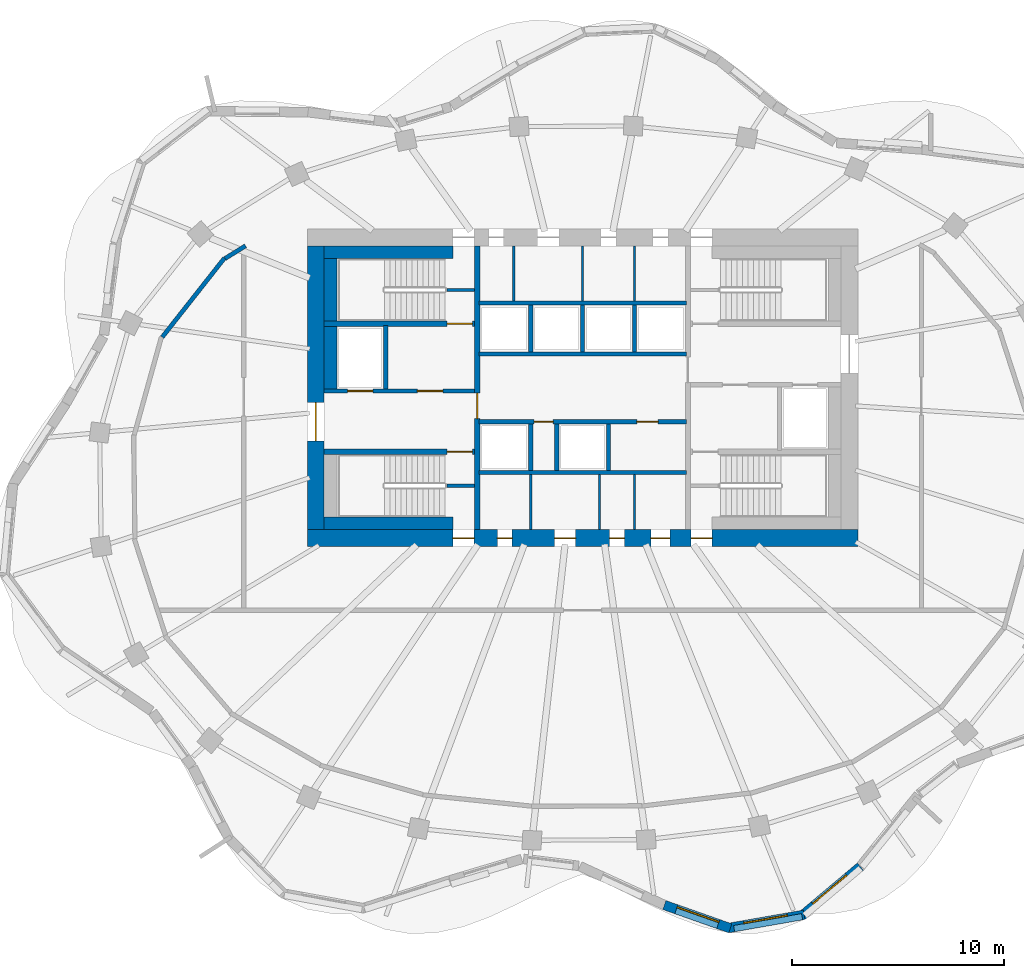
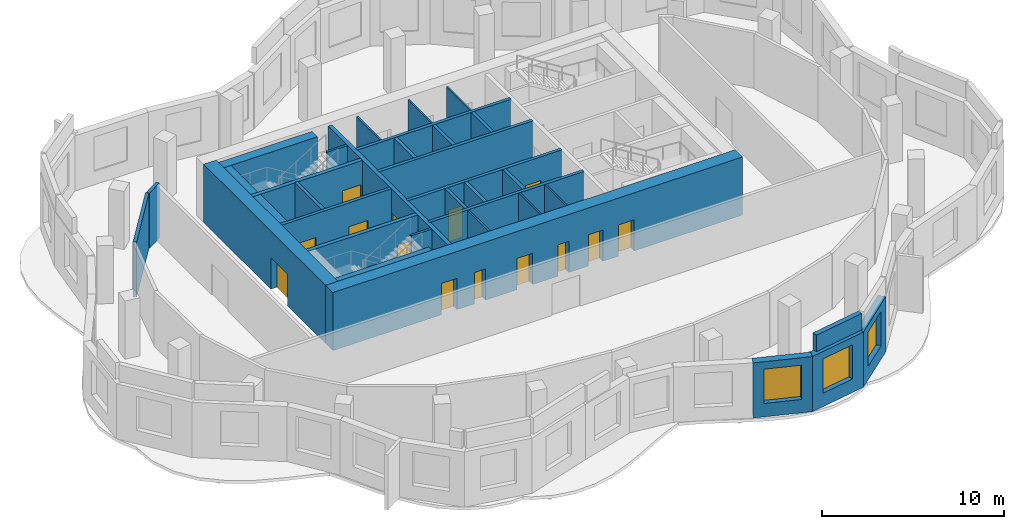
# One storey, part 4 of 8: 35 walls, 14 doors, 3 windows, 17 openings.
"""IFC4 building model written with IfcOpenShell, lengths in metres."""

from ifc_helpers import new_model, si_unit, direction, frame, frame_2d, origin, place, context, subcontext, project, spatial, rectangle, extrude, material, layer, layer_set, type_object, element, fill, save


model = new_model("IFC4")

# Units and contexts
model_context = context("Model", 3, precision=1e-05, world=origin(), true_north=direction((0.0, 1.0)))
body_context = subcontext(model_context, "Body", "Model", "MODEL_VIEW")
ifc_project = project(units=[si_unit("LENGTHUNIT", "METRE"), si_unit("AREAUNIT", "SQUARE_METRE"), si_unit("VOLUMEUNIT", "CUBIC_METRE"), si_unit("PLANEANGLEUNIT", "RADIAN"), si_unit("MASSUNIT", "GRAM", prefix="KILO")], contexts=[model_context])

# Site, building, storey
site_placement = place(None, origin())
site = spatial("IfcSite", under=ifc_project, at=site_placement, CompositionType="ELEMENT")
building_placement = place(site_placement, origin())
building = spatial("IfcBuilding", under=site, at=building_placement, Name="Rubra Terraces Tower", CompositionType="ELEMENT")
storey_placement = place(building_placement, frame((0.0, 0.0, 280.5)))
storey = spatial("IfcBuildingStorey", under=building, at=storey_placement, Name="L69", CompositionType="ELEMENT", Elevation=280.5)

# Wall, opening, window
ifc_material_1 = material(Name="Brick masonry red-brown", Category="masonry")
ifc_layer_1 = layer(ifc_material_1, 0.449951171875)
ifc_layer_set_1 = layer_set([ifc_layer_1], Name="Brick masonry red-brown")
wall_type_1 = type_object("IfcWallType", Name="Brick facade wall 450", PredefinedType="SOLIDWALL", material=ifc_layer_set_1)
wall_1_placement = place(storey_placement, frame((3.8603515625, -19.922607421875, 0.0), z_axis=(0.0, 0.0, 1.0), x_axis=(0.943061302397, -0.33261897108, 0.0)))
wall_1 = element("IfcWall", 1, at=wall_1_placement, inside=storey, type_object=wall_type_1, Name="Facade wall L69 bay 32", PredefinedType="SOLIDWALL", context=body_context, shape_type="SweptSolid", body=[
    extrude(rectangle(XDim=3.301513671875, YDim=0.449951171875, at=frame_2d((1.65087890625, 0.0))), origin(), (0.0, 0.0, 1.0), 3.699951171875),
])
opening_1_placement = place(wall_1_placement, frame((0.600830078125, 0.0, 0.89990234375)))
opening_1 = element("IfcOpeningElement", 2, at=opening_1_placement, cuts=wall_1, Name="Opening W1B", PredefinedType="OPENING", context=body_context, shape_type="SweptSolid", body=[
    extrude(rectangle(XDim=2.10009765625, YDim=2.300048828125, at=frame_2d((1.050048828125, 1.14990234375))), frame((0.0, 0.23486328125, 0.0), z_axis=(0.0, -1.0, 0.0), x_axis=(1.0, 0.0, 0.0)), (0.0, 0.0, 1.0), 0.469970703125),
])
ifc_material_2 = material(Name="Clear glass in aluminium frame", Category="aluminium")
window_type = type_object("IfcWindowType", Name="Fixed deep-set window tall storey 2100 x 2300", PartitioningType="SINGLE_PANEL", PredefinedType="WINDOW", material=ifc_material_2)
window_1_placement = place(opening_1_placement, origin())
window_1 = element("IfcWindow", 3, at=window_1_placement, inside=storey, type_object=window_type, Name="Window L69 bay 32", OverallHeight=2.300048828125, OverallWidth=2.10009765625, PartitioningType="SINGLE_PANEL", PredefinedType="WINDOW", context=body_context, shape_type="SweptSolid", body=[
    extrude(rectangle(XDim=2.10009765625, YDim=2.300048828125, at=frame_2d((1.050048828125, 1.14990234375))), frame((0.0, 0.135009765625, 0.0), z_axis=(0.0, -1.0, 0.0), x_axis=(1.0, 0.0, 0.0)), (0.0, 0.0, 1.0), 0.06005859375),
])
fill(opening_1, window_1)

wall_2_placement = place(storey_placement, frame((6.860107421875, -21.011474609375, 0.0), z_axis=(0.0, 0.0, 1.0), x_axis=(0.985017416972, 0.172454887614, 0.0)))
wall_2 = element("IfcWall", 4, at=wall_2_placement, inside=storey, type_object=wall_type_1, Name="Facade wall L69 bay 33", PredefinedType="SOLIDWALL", context=body_context, shape_type="SweptSolid", body=[
    extrude(rectangle(XDim=3.65380859375, YDim=0.449951171875, at=frame_2d((1.826904296875, 0.0))), origin(), (0.0, 0.0, 1.0), 3.699951171875),
])
opening_2_placement = place(wall_2_placement, frame((0.77685546875, 0.0, 0.89990234375)))
opening_2 = element("IfcOpeningElement", 5, at=opening_2_placement, cuts=wall_2, Name="Opening W1B", PredefinedType="OPENING", context=body_context, shape_type="SweptSolid", body=[
    extrude(rectangle(XDim=2.10009765625, YDim=2.300048828125, at=frame_2d((1.050048828125, 1.14990234375))), frame((0.0, 0.23486328125, 0.0), z_axis=(0.0, -1.0, 0.0), x_axis=(1.0, 0.0, 0.0)), (0.0, 0.0, 1.0), 0.469970703125),
])
window_2_placement = place(opening_2_placement, origin())
window_2 = element("IfcWindow", 6, at=window_2_placement, inside=storey, type_object=window_type, Name="Window L69 bay 33", OverallHeight=2.300048828125, OverallWidth=2.10009765625, PartitioningType="SINGLE_PANEL", PredefinedType="WINDOW", context=body_context, shape_type="SweptSolid", body=[
    extrude(rectangle(XDim=2.10009765625, YDim=2.300048828125, at=frame_2d((1.050048828125, 1.14990234375))), frame((0.0, 0.135009765625, 0.0), z_axis=(0.0, -1.0, 0.0), x_axis=(1.0, 0.0, 0.0)), (0.0, 0.0, 1.0), 0.06005859375),
])
fill(opening_2, window_2)

wall_3_placement = place(storey_placement, frame((10.353271484375, -20.430908203125, 0.0), z_axis=(0.0, 0.0, 1.0), x_axis=(0.765535539659, 0.643393610101, 0.0)))
wall_3 = element("IfcWall", 7, at=wall_3_placement, inside=storey, type_object=wall_type_1, Name="Facade wall L69 bay 34", PredefinedType="SOLIDWALL", context=body_context, shape_type="SweptSolid", body=[
    extrude(rectangle(XDim=3.60791015625, YDim=0.449951171875, at=frame_2d((1.803955078125, 0.0))), origin(), (0.0, 0.0, 1.0), 3.699951171875),
])
opening_3_placement = place(wall_3_placement, frame((0.75390625, 0.0, 0.89990234375)))
opening_3 = element("IfcOpeningElement", 8, at=opening_3_placement, cuts=wall_3, Name="Opening W1B", PredefinedType="OPENING", context=body_context, shape_type="SweptSolid", body=[
    extrude(rectangle(XDim=2.10009765625, YDim=2.300048828125, at=frame_2d((1.050048828125, 1.14990234375))), frame((0.0, 0.23486328125, 0.0), z_axis=(0.0, -1.0, 0.0), x_axis=(1.0, 0.0, 0.0)), (0.0, 0.0, 1.0), 0.469970703125),
])
window_3_placement = place(opening_3_placement, origin())
window_3 = element("IfcWindow", 9, at=window_3_placement, inside=storey, type_object=window_type, Name="Window L69 bay 34", OverallHeight=2.300048828125, OverallWidth=2.10009765625, PartitioningType="SINGLE_PANEL", PredefinedType="WINDOW", context=body_context, shape_type="SweptSolid", body=[
    extrude(rectangle(XDim=2.10009765625, YDim=2.300048828125, at=frame_2d((1.050048828125, 1.14990234375))), frame((0.0, 0.135009765625, 0.0), z_axis=(0.0, -1.0, 0.0), x_axis=(1.0, 0.0, 0.0)), (0.0, 0.0, 1.0), 0.06005859375),
])
fill(opening_3, window_3)

# Wall
ifc_layer_2 = layer(ifc_material_1, 0.300048828125)
ifc_layer_set_2 = layer_set([ifc_layer_2], Name="Brick masonry red-brown")
wall_type_2 = type_object("IfcWallType", Name="Brick parapet 300", PredefinedType="PARAPET", material=ifc_layer_set_2)
wall_4_placement = place(storey_placement, frame((7.1533203125, -21.0361328125, 3.89990234375), z_axis=(0.0, 0.0, 1.0), x_axis=(0.985026968375, 0.172400323589, 0.0)))
element("IfcWall", 10, at=wall_4_placement, inside=storey, type_object=wall_type_2, Name="Parapet L69 bay 33", PredefinedType="PARAPET", context=body_context, shape_type="SweptSolid", body=[
    extrude(rectangle(XDim=3.258544921875, YDim=0.300048828125, at=frame_2d((1.62939453125, 0.0))), origin(), (0.0, 0.0, 1.0), 1.10009765625),
])

# Wall, openings, doors
ifc_material_3 = material(Name="Concrete C50", Category="concrete")
ifc_layer_3 = layer(ifc_material_3, 0.800048828125)
ifc_layer_set_3 = layer_set([ifc_layer_3], Name="Concrete C50")
wall_type_3 = type_object("IfcWallType", Name="CORE WALL 800 C50", PredefinedType="SHEAR", material=ifc_layer_set_3)
wall_5_placement = place(storey_placement, frame((-13.0, -2.60009765625, 0.0), z_axis=(0.0, 0.0, 1.0), x_axis=(1.0, 0.0, 0.0)))
wall_5 = element("IfcWall", 11, at=wall_5_placement, inside=storey, type_object=wall_type_3, Name="CORE WALL S L69", PredefinedType="SHEAR", context=body_context, shape_type="SweptSolid", body=[
    extrude(rectangle(XDim=26.0, YDim=0.800048828125, at=frame_2d((13.0, 0.0))), origin(), (0.0, 0.0, 1.0), 3.89990234375),
])
opening_4_placement = place(wall_5_placement, frame((8.97509765625, 0.0, 0.0)))
opening_4 = element("IfcOpeningElement", 12, at=opening_4_placement, cuts=wall_5, Name="Opening L69.C15", PredefinedType="OPENING", context=body_context, shape_type="SweptSolid", body=[
    extrude(rectangle(XDim=0.699951171875, YDim=2.10009765625, at=frame_2d((0.35009765625, 1.050048828125))), frame((0.0, 0.409912109375, 0.0), z_axis=(0.0, -1.0, 0.0), x_axis=(1.0, 0.0, 0.0)), (0.0, 0.0, 1.0), 0.820068359375),
])
opening_5_placement = place(wall_5_placement, frame((11.675048828125, 0.0, 0.0)))
opening_5 = element("IfcOpeningElement", 13, at=opening_5_placement, cuts=wall_5, Name="Opening L69.C16", PredefinedType="OPENING", context=body_context, shape_type="SweptSolid", body=[
    extrude(rectangle(XDim=1.0, YDim=2.10009765625, at=frame_2d((0.5, 1.050048828125))), frame((0.0, 0.409912109375, 0.0), z_axis=(0.0, -1.0, 0.0), x_axis=(1.0, 0.0, 0.0)), (0.0, 0.0, 1.0), 0.820068359375),
])
opening_6_placement = place(wall_5_placement, frame((14.27490234375, 0.0, 0.0)))
opening_6 = element("IfcOpeningElement", 14, at=opening_6_placement, cuts=wall_5, Name="Opening L69.C17", PredefinedType="OPENING", context=body_context, shape_type="SweptSolid", body=[
    extrude(rectangle(XDim=0.699951171875, YDim=2.10009765625, at=frame_2d((0.35009765625, 1.050048828125))), frame((0.0, 0.409912109375, 0.0), z_axis=(0.0, -1.0, 0.0), x_axis=(1.0, 0.0, 0.0)), (0.0, 0.0, 1.0), 0.820068359375),
])
opening_7_placement = place(wall_5_placement, frame((16.22509765625, 0.0, 0.0)))
opening_7 = element("IfcOpeningElement", 15, at=opening_7_placement, cuts=wall_5, Name="Opening L69.C18", PredefinedType="OPENING", context=body_context, shape_type="SweptSolid", body=[
    extrude(rectangle(XDim=0.89990234375, YDim=2.10009765625, at=frame_2d((0.449951171875, 1.050048828125))), frame((0.0, 0.409912109375, 0.0), z_axis=(0.0, -1.0, 0.0), x_axis=(1.0, 0.0, 0.0)), (0.0, 0.0, 1.0), 0.820068359375),
])
opening_8_placement = place(wall_5_placement, frame((6.8798828125, 0.0, 0.0)))
opening_8 = element("IfcOpeningElement", 16, at=opening_8_placement, cuts=wall_5, Name="Opening L69.C23", PredefinedType="OPENING", context=body_context, shape_type="SweptSolid", body=[
    extrude(rectangle(XDim=1.0, YDim=2.10009765625, at=frame_2d((0.5, 1.050048828125))), frame((0.0, 0.409912109375, 0.0), z_axis=(0.0, -1.0, 0.0), x_axis=(1.0, 0.0, 0.0)), (0.0, 0.0, 1.0), 0.820068359375),
])
opening_9_placement = place(wall_5_placement, frame((18.1201171875, 0.0, 0.0)))
opening_9 = element("IfcOpeningElement", 17, at=opening_9_placement, cuts=wall_5, Name="Opening L69.C26", PredefinedType="OPENING", context=body_context, shape_type="SweptSolid", body=[
    extrude(rectangle(XDim=1.0, YDim=2.10009765625, at=frame_2d((0.5, 1.050048828125))), frame((0.0, 0.409912109375, 0.0), z_axis=(0.0, -1.0, 0.0), x_axis=(1.0, 0.0, 0.0)), (0.0, 0.0, 1.0), 0.820068359375),
])
ifc_material_4 = material(Name="Painted steel", Category="steel")
door_type_1 = type_object("IfcDoorType", Name="Fire door 1000x2100 single", OperationType="NOTDEFINED", PredefinedType="DOOR", material=ifc_material_4)
door_1_placement = place(opening_5_placement, origin())
door_1 = element("IfcDoor", 18, at=door_1_placement, inside=storey, type_object=door_type_1, Name="General store door", OperationType="SINGLE_SWING_RIGHT", OverallHeight=2.10009765625, OverallWidth=1.0, PredefinedType="DOOR", context=body_context, shape_type="SweptSolid", body=[
    extrude(rectangle(XDim=1.0, YDim=2.10009765625, at=frame_2d((0.5, 1.050048828125))), frame((0.0, 0.02490234375, 0.0), z_axis=(0.0, -1.0, 0.0), x_axis=(1.0, 0.0, 0.0)), (0.0, 0.0, 1.0), 0.050048828125),
])
fill(opening_5, door_1)
door_2_placement = place(opening_8_placement, origin())
door_2 = element("IfcDoor", 19, at=door_2_placement, inside=storey, type_object=door_type_1, Name="Stair S1 refuge door", OperationType="SINGLE_SWING_LEFT", OverallHeight=2.10009765625, OverallWidth=1.0, PredefinedType="DOOR", context=body_context, shape_type="SweptSolid", body=[
    extrude(rectangle(XDim=1.0, YDim=2.10009765625, at=frame_2d((0.5, 1.050048828125))), frame((0.0, 0.02490234375, 0.0), z_axis=(0.0, -1.0, 0.0), x_axis=(1.0, 0.0, 0.0)), (0.0, 0.0, 1.0), 0.050048828125),
])
fill(opening_8, door_2)
door_3_placement = place(opening_9_placement, origin())
door_3 = element("IfcDoor", 20, at=door_3_placement, inside=storey, type_object=door_type_1, Name="Stair S4 refuge door", OperationType="SINGLE_SWING_RIGHT", OverallHeight=2.10009765625, OverallWidth=1.0, PredefinedType="DOOR", context=body_context, shape_type="SweptSolid", body=[
    extrude(rectangle(XDim=1.0, YDim=2.10009765625, at=frame_2d((0.5, 1.050048828125))), frame((0.0, 0.02490234375, 0.0), z_axis=(0.0, -1.0, 0.0), x_axis=(1.0, 0.0, 0.0)), (0.0, 0.0, 1.0), 0.050048828125),
])
fill(opening_9, door_3)
door_type_2 = type_object("IfcDoorType", Name="Fire door 900x2100 single", OperationType="NOTDEFINED", PredefinedType="DOOR", material=ifc_material_4)
door_4_placement = place(opening_7_placement, origin())
door_4 = element("IfcDoor", 21, at=door_4_placement, inside=storey, type_object=door_type_2, Name="Cleaner's store door", OperationType="SINGLE_SWING_RIGHT", OverallHeight=2.10009765625, OverallWidth=0.89990234375, PredefinedType="DOOR", context=body_context, shape_type="SweptSolid", body=[
    extrude(rectangle(XDim=0.89990234375, YDim=2.10009765625, at=frame_2d((0.449951171875, 1.050048828125))), frame((0.0, 0.02490234375, 0.0), z_axis=(0.0, -1.0, 0.0), x_axis=(1.0, 0.0, 0.0)), (0.0, 0.0, 1.0), 0.050048828125),
])
fill(opening_7, door_4)
door_type_3 = type_object("IfcDoorType", Name="Riser access door 700x2100 single", OperationType="NOTDEFINED", PredefinedType="DOOR", material=ifc_material_4)
door_5_placement = place(opening_4_placement, origin())
door_5 = element("IfcDoor", 22, at=door_5_placement, inside=storey, type_object=door_type_3, Name="M&E riser room door", OperationType="SINGLE_SWING_LEFT", OverallHeight=2.10009765625, OverallWidth=0.699951171875, PredefinedType="DOOR", context=body_context, shape_type="SweptSolid", body=[
    extrude(rectangle(XDim=0.699951171875, YDim=2.10009765625, at=frame_2d((0.35009765625, 1.050048828125))), frame((0.0, 0.02490234375, 0.0), z_axis=(0.0, -1.0, 0.0), x_axis=(1.0, 0.0, 0.0)), (0.0, 0.0, 1.0), 0.050048828125),
])
fill(opening_4, door_5)
door_6_placement = place(opening_6_placement, origin())
door_6 = element("IfcDoor", 23, at=door_6_placement, inside=storey, type_object=door_type_3, Name="Telecoms room door", OperationType="SINGLE_SWING_LEFT", OverallHeight=2.10009765625, OverallWidth=0.699951171875, PredefinedType="DOOR", context=body_context, shape_type="SweptSolid", body=[
    extrude(rectangle(XDim=0.699951171875, YDim=2.10009765625, at=frame_2d((0.35009765625, 1.050048828125))), frame((0.0, 0.02490234375, 0.0), z_axis=(0.0, -1.0, 0.0), x_axis=(1.0, 0.0, 0.0)), (0.0, 0.0, 1.0), 0.050048828125),
])
fill(opening_6, door_6)

# Wall, opening, door
wall_6_placement = place(storey_placement, frame((-12.60009765625, -2.199951171875, 0.0), z_axis=(0.0, 0.0, 1.0), x_axis=(0.0, 1.0, 0.0)))
wall_6 = element("IfcWall", 24, at=wall_6_placement, inside=storey, type_object=wall_type_3, Name="CORE WALL W L69", PredefinedType="SHEAR", context=body_context, shape_type="SweptSolid", body=[
    extrude(rectangle(XDim=13.39990234375, YDim=0.800048828125, at=frame_2d((6.699951171875, 0.0))), origin(), (0.0, 0.0, 1.0), 3.89990234375),
])
opening_10_placement = place(wall_6_placement, frame((4.199951171875, 0.0, 0.0)))
opening_10 = element("IfcOpeningElement", 25, at=opening_10_placement, cuts=wall_6, Name="Opening L69.C01", PredefinedType="OPENING", context=body_context, shape_type="SweptSolid", body=[
    extrude(rectangle(XDim=1.800048828125, YDim=2.10009765625, at=frame_2d((0.89990234375, 1.050048828125))), frame((0.0, 0.409912109375, 0.0), z_axis=(0.0, -1.0, 0.0), x_axis=(1.0, 0.0, 0.0)), (0.0, 0.0, 1.0), 0.820068359375),
])
door_type_4 = type_object("IfcDoorType", Name="Fire door 1800x2100 double", OperationType="NOTDEFINED", PredefinedType="DOOR", material=ifc_material_4)
door_7_placement = place(opening_10_placement, origin())
door_7 = element("IfcDoor", 26, at=door_7_placement, inside=storey, type_object=door_type_4, Name="Core entrance door FF1", OperationType="DOUBLE_DOOR_SINGLE_SWING", OverallHeight=2.10009765625, OverallWidth=1.800048828125, PredefinedType="DOOR", context=body_context, shape_type="SweptSolid", body=[
    extrude(rectangle(XDim=1.800048828125, YDim=2.10009765625, at=frame_2d((0.89990234375, 1.050048828125))), frame((0.0, 0.02490234375, 0.0), z_axis=(0.0, -1.0, 0.0), x_axis=(1.0, 0.0, 0.0)), (0.0, 0.0, 1.0), 0.050048828125),
])
fill(opening_10, door_7)

# Walls
ifc_material_5 = material(Name="Concrete C40", Category="concrete")
ifc_layer_4 = layer(ifc_material_5, 0.60009765625)
ifc_layer_set_4 = layer_set([ifc_layer_4], Name="Concrete C40")
wall_type_4 = type_object("IfcWallType", Name="Core lining wall 600 concrete", PredefinedType="SOLIDWALL", material=ifc_layer_set_4)
wall_7_placement = place(storey_placement, frame((-12.199951171875, -1.89990234375, 0.0), z_axis=(0.0, 0.0, 1.0), x_axis=(1.0, 0.0, 0.0)))
element("IfcWall", 27, at=wall_7_placement, inside=storey, type_object=wall_type_4, Name="CORE LINING WALL L69", PredefinedType="SOLIDWALL", context=body_context, shape_type="SweptSolid", body=[
    extrude(rectangle(XDim=6.079833984375, YDim=0.60009765625, at=frame_2d((3.0400390625, 0.0))), origin(), (0.0, 0.0, 1.0), 3.699951171875),
])
wall_8_placement = place(storey_placement, frame((-11.89990234375, 4.449951171875, 0.0), z_axis=(0.0, 0.0, 1.0), x_axis=(0.0, 1.0, 0.0)))
element("IfcWall", 28, at=wall_8_placement, inside=storey, type_object=wall_type_4, Name="CORE LINING WALL L69", PredefinedType="SOLIDWALL", context=body_context, shape_type="SweptSolid", body=[
    extrude(rectangle(XDim=3.0, YDim=0.60009765625, at=frame_2d((1.5, 0.0))), origin(), (0.0, 0.0, 1.0), 3.699951171875),
])
wall_9_placement = place(storey_placement, frame((-11.89990234375, 7.64990234375, 0.0), z_axis=(0.0, 0.0, 1.0), x_axis=(0.0, 1.0, 0.0)))
element("IfcWall", 29, at=wall_9_placement, inside=storey, type_object=wall_type_4, Name="CORE LINING WALL L69", PredefinedType="SOLIDWALL", context=body_context, shape_type="SweptSolid", body=[
    extrude(rectangle(XDim=2.9501953125, YDim=0.60009765625, at=frame_2d((1.47509765625, 0.0))), origin(), (0.0, 0.0, 1.0), 3.699951171875),
])
wall_10_placement = place(storey_placement, frame((-12.199951171875, 10.89990234375, 0.0), z_axis=(0.0, 0.0, 1.0), x_axis=(1.0, 0.0, 0.0)))
element("IfcWall", 30, at=wall_10_placement, inside=storey, type_object=wall_type_4, Name="CORE LINING WALL L69", PredefinedType="SOLIDWALL", context=body_context, shape_type="SweptSolid", body=[
    extrude(rectangle(XDim=6.079833984375, YDim=0.60009765625, at=frame_2d((3.0400390625, 0.0))), origin(), (0.0, 0.0, 1.0), 3.699951171875),
])

# Wall, openings, doors
ifc_material_6 = material(Name="Concrete C30", Category="concrete")
ifc_layer_5 = layer(ifc_material_6, 0.199951171875)
ifc_layer_set_5 = layer_set([ifc_layer_5], Name="Concrete C30")
wall_type_5 = type_object("IfcWallType", Name="Core wall 200 concrete", PredefinedType="SOLIDWALL", material=ifc_layer_set_5)
wall_11_placement = place(storey_placement, frame((-12.199951171875, 4.35009765625, 0.0), z_axis=(0.0, 0.0, 1.0), x_axis=(1.0, 0.0, 0.0)))
wall_11 = element("IfcWall", 31, at=wall_11_placement, inside=storey, type_object=wall_type_5, Name="STAIR WALL L69", PredefinedType="SOLIDWALL", context=body_context, shape_type="SweptSolid", body=[
    extrude(rectangle(XDim=7.099853515625, YDim=0.199951171875, at=frame_2d((3.5498046875, 0.0))), origin(), (0.0, 0.0, 1.0), 3.699951171875),
])
opening_11_placement = place(wall_11_placement, frame((4.39990234375, 0.0, 0.0)))
opening_11 = element("IfcOpeningElement", 32, at=opening_11_placement, cuts=wall_11, Name="Opening L69.C05", PredefinedType="OPENING", context=body_context, shape_type="SweptSolid", body=[
    extrude(rectangle(XDim=1.199951171875, YDim=2.10009765625, at=frame_2d((0.60009765625, 1.050048828125))), frame((0.0, 0.10986328125, 0.0), z_axis=(0.0, -1.0, 0.0), x_axis=(1.0, 0.0, 0.0)), (0.0, 0.0, 1.0), 0.219970703125),
])
opening_12_placement = place(wall_11_placement, frame((1.10009765625, 0.0, 0.0)))
opening_12 = element("IfcOpeningElement", 33, at=opening_12_placement, cuts=wall_11, Name="Opening L69.C11", PredefinedType="OPENING", context=body_context, shape_type="SweptSolid", body=[
    extrude(rectangle(XDim=1.199951171875, YDim=2.10009765625, at=frame_2d((0.60009765625, 1.050048828125))), frame((0.0, 0.10986328125, 0.0), z_axis=(0.0, -1.0, 0.0), x_axis=(1.0, 0.0, 0.0)), (0.0, 0.0, 1.0), 0.219970703125),
])
door_type_5 = type_object("IfcDoorType", Name="Fire door 1200x2100 single", OperationType="NOTDEFINED", PredefinedType="DOOR", material=ifc_material_4)
door_8_placement = place(opening_11_placement, origin())
door_8 = element("IfcDoor", 34, at=door_8_placement, inside=storey, type_object=door_type_5, Name="Stair vestibule door S2", OperationType="SINGLE_SWING_LEFT", OverallHeight=2.10009765625, OverallWidth=1.199951171875, PredefinedType="DOOR", context=body_context, shape_type="SweptSolid", body=[
    extrude(rectangle(XDim=1.199951171875, YDim=2.10009765625, at=frame_2d((0.60009765625, 1.050048828125))), frame((0.0, 0.02490234375, 0.0), z_axis=(0.0, -1.0, 0.0), x_axis=(1.0, 0.0, 0.0)), (0.0, 0.0, 1.0), 0.050048828125),
])
fill(opening_11, door_8)
ifc_material_7 = material(Name="Stainless steel", Category="steel")
door_type_6 = type_object("IfcDoorType", Name="Lift landing door 1200x2100", OperationType="NOTDEFINED", PredefinedType="DOOR", material=ifc_material_7)
door_9_placement = place(opening_12_placement, origin())
door_9 = element("IfcDoor", 35, at=door_9_placement, inside=storey, type_object=door_type_6, Name="Landing door FF1", OperationType="SLIDING_TO_RIGHT", OverallHeight=2.10009765625, OverallWidth=1.199951171875, PredefinedType="DOOR", context=body_context, shape_type="SweptSolid", body=[
    extrude(rectangle(XDim=1.199951171875, YDim=2.10009765625, at=frame_2d((0.60009765625, 1.050048828125))), frame((0.0, 0.02490234375, 0.0), z_axis=(0.0, -1.0, 0.0), x_axis=(1.0, 0.0, 0.0)), (0.0, 0.0, 1.0), 0.050048828125),
])
fill(opening_12, door_9)

# Walls
wall_12_placement = place(storey_placement, frame((-9.300048828125, 4.449951171875, 0.0), z_axis=(0.0, 0.0, 1.0), x_axis=(0.0, 1.0, 0.0)))
element("IfcWall", 36, at=wall_12_placement, inside=storey, type_object=wall_type_5, Name="STAIR WALL L69", PredefinedType="SOLIDWALL", context=body_context, shape_type="SweptSolid", body=[
    extrude(rectangle(XDim=3.0, YDim=0.199951171875, at=frame_2d((1.5, 0.0))), origin(), (0.0, 0.0, 1.0), 3.699951171875),
])
wall_13_placement = place(storey_placement, frame((-4.89990234375, 0.5, 0.0), z_axis=(0.0, 0.0, 1.0), x_axis=(1.0, 0.0, 0.0)))
element("IfcWall", 37, at=wall_13_placement, inside=storey, type_object=wall_type_5, Name="LIFT SHAFT WALL L69", PredefinedType="SOLIDWALL", context=body_context, shape_type="SweptSolid", body=[
    extrude(rectangle(XDim=9.7998046875, YDim=0.199951171875, at=frame_2d((4.89990234375, 0.0))), origin(), (0.0, 0.0, 1.0), 3.699951171875),
])

# Wall, openings, doors
wall_14_placement = place(storey_placement, frame((-4.89990234375, 2.89990234375, 0.0), z_axis=(0.0, 0.0, 1.0), x_axis=(1.0, 0.0, 0.0)))
wall_14 = element("IfcWall", 38, at=wall_14_placement, inside=storey, type_object=wall_type_5, Name="LIFT SHAFT WALL L69", PredefinedType="SOLIDWALL", context=body_context, shape_type="SweptSolid", body=[
    extrude(rectangle(XDim=9.7998046875, YDim=0.199951171875, at=frame_2d((4.89990234375, 0.0))), origin(), (0.0, 0.0, 1.0), 3.699951171875),
])
opening_13_placement = place(wall_14_placement, frame((2.613037109375, 0.0, 0.0)))
opening_13 = element("IfcOpeningElement", 39, at=opening_13_placement, cuts=wall_14, Name="Opening L69.C13", PredefinedType="OPENING", context=body_context, shape_type="SweptSolid", body=[
    extrude(rectangle(XDim=0.89990234375, YDim=2.10009765625, at=frame_2d((0.449951171875, 1.050048828125))), frame((0.0, 0.10986328125, 0.0), z_axis=(0.0, -1.0, 0.0), x_axis=(1.0, 0.0, 0.0)), (0.0, 0.0, 1.0), 0.219970703125),
])
opening_14_placement = place(wall_14_placement, frame((7.462890625, 0.0, 0.0)))
opening_14 = element("IfcOpeningElement", 40, at=opening_14_placement, cuts=wall_14, Name="Opening L69.C14", PredefinedType="OPENING", context=body_context, shape_type="SweptSolid", body=[
    extrude(rectangle(XDim=1.0, YDim=2.10009765625, at=frame_2d((0.5, 1.050048828125))), frame((0.0, 0.10986328125, 0.0), z_axis=(0.0, -1.0, 0.0), x_axis=(1.0, 0.0, 0.0)), (0.0, 0.0, 1.0), 0.219970703125),
])
door_10_placement = place(opening_14_placement, origin())
door_10 = element("IfcDoor", 41, at=door_10_placement, inside=storey, type_object=door_type_1, Name="General store door", OperationType="SINGLE_SWING_RIGHT", OverallHeight=2.10009765625, OverallWidth=1.0, PredefinedType="DOOR", context=body_context, shape_type="SweptSolid", body=[
    extrude(rectangle(XDim=1.0, YDim=2.10009765625, at=frame_2d((0.5, 1.050048828125))), frame((0.0, 0.02490234375, 0.0), z_axis=(0.0, -1.0, 0.0), x_axis=(1.0, 0.0, 0.0)), (0.0, 0.0, 1.0), 0.050048828125),
])
fill(opening_14, door_10)
door_11_placement = place(opening_13_placement, origin())
door_11 = element("IfcDoor", 42, at=door_11_placement, inside=storey, type_object=door_type_2, Name="Cleaner's store door", OperationType="SINGLE_SWING_LEFT", OverallHeight=2.10009765625, OverallWidth=0.89990234375, PredefinedType="DOOR", context=body_context, shape_type="SweptSolid", body=[
    extrude(rectangle(XDim=0.89990234375, YDim=2.10009765625, at=frame_2d((0.449951171875, 1.050048828125))), frame((0.0, 0.02490234375, 0.0), z_axis=(0.0, -1.0, 0.0), x_axis=(1.0, 0.0, 0.0)), (0.0, 0.0, 1.0), 0.050048828125),
])
fill(opening_13, door_11)

# Walls
for number, where, z_axis, x_axis, name in (
    (43, (-4.89990234375, 6.10009765625, 0.0), (0.0, 0.0, 1.0), (1.0, 0.0, 0.0), "LIFT SHAFT WALL L69"),
    (44, (-4.89990234375, 8.5, 0.0), (0.0, 0.0, 1.0), (1.0, 0.0, 0.0), "LIFT SHAFT WALL L69"),
):
    element("IfcWall", number, at=place(storey_placement, frame(where, z_axis=z_axis, x_axis=x_axis)), inside=storey, type_object=wall_type_5, Name=name, PredefinedType="SOLIDWALL", context=body_context, shape_type="SweptSolid", body=[
        extrude(rectangle(XDim=9.7998046875, YDim=0.199951171875, at=frame_2d((4.89990234375, 0.0))), origin(), (0.0, 0.0, 1.0), 3.699951171875),
    ])
for number, where, z_axis, x_axis, name in (
    (45, (-2.449951171875, 0.60009765625, 0.0), (0.0, 0.0, 1.0), (0.0, 1.0, 0.0), "LIFT SHAFT WALL L69"),
    (46, (-1.22509765625, 0.60009765625, 0.0), (0.0, 0.0, 1.0), (0.0, 1.0, 0.0), "LIFT SHAFT WALL L69"),
    (47, (1.22509765625, 0.60009765625, 0.0), (0.0, 0.0, 1.0), (0.0, 1.0, 0.0), "LIFT SHAFT WALL L69"),
    (48, (-2.449951171875, 6.199951171875, 0.0), (0.0, 0.0, 1.0), (0.0, 1.0, 0.0), "LIFT SHAFT WALL L69"),
    (49, (0.0, 6.199951171875, 0.0), (0.0, 0.0, 1.0), (0.0, 1.0, 0.0), "LIFT SHAFT WALL L69"),
    (50, (2.449951171875, 6.199951171875, 0.0), (0.0, 0.0, 1.0), (0.0, 1.0, 0.0), "LIFT SHAFT WALL L69"),
):
    element("IfcWall", number, at=place(storey_placement, frame(where, z_axis=z_axis, x_axis=x_axis)), inside=storey, type_object=wall_type_5, Name=name, PredefinedType="SOLIDWALL", context=body_context, shape_type="SweptSolid", body=[
        extrude(rectangle(XDim=2.199951171875, YDim=0.199951171875, at=frame_2d((1.10009765625, 0.0))), origin(), (0.0, 0.0, 1.0), 3.699951171875),
    ])
ifc_material_8 = material(Name="Blockwork", Category="masonry")
ifc_layer_6 = layer(ifc_material_8, 0.199951171875)
ifc_layer_set_6 = layer_set([ifc_layer_6], Name="Blockwork")
wall_type_6 = type_object("IfcWallType", Name="Corridor partition 200 blockwork", PredefinedType="PARTITIONING", material=ifc_layer_set_6)
wall_15_placement = place(storey_placement, frame((-19.84912109375, 6.89501953125, 0.0), z_axis=(0.0, 0.0, 1.0), x_axis=(0.618811760178, 0.785539308669, 0.0)))
element("IfcWall", 51, at=wall_15_placement, inside=storey, type_object=wall_type_6, Name="Partition wall", PredefinedType="PARTITIONING", context=body_context, shape_type="SweptSolid", body=[
    extrude(rectangle(XDim=4.756103515625, YDim=0.199951171875, at=frame_2d((2.3779296875, 0.0))), origin(), (0.0, 0.0, 1.0), 3.699951171875),
])
wall_16_placement = place(storey_placement, frame((-16.883056640625, 10.60498046875, 0.0), z_axis=(0.0, 0.0, 1.0), x_axis=(0.84954745962, 0.527512193085, 0.0)))
element("IfcWall", 52, at=wall_16_placement, inside=storey, type_object=wall_type_6, Name="Partition wall", PredefinedType="PARTITIONING", context=body_context, shape_type="SweptSolid", body=[
    extrude(rectangle(XDim=1.139404296875, YDim=0.199951171875, at=frame_2d((0.56982421875, 0.0))), origin(), (0.0, 0.0, 1.0), 3.699951171875),
])
ifc_layer_7 = layer(ifc_material_8, 0.10009765625)
ifc_layer_set_7 = layer_set([ifc_layer_7], Name="Blockwork")
wall_type_7 = type_object("IfcWallType", Name="Service partition 100 blockwork", PredefinedType="PARTITIONING", material=ifc_layer_set_7)
for number, where, z_axis, x_axis, name in (
    (53, (-2.449951171875, -2.199951171875, 0.0), (0.0, 0.0, 1.0), (0.0, 1.0, 0.0), "SERVICE ROOM PARTITION L69"),
    (54, (0.800048828125, -2.199951171875, 0.0), (0.0, 0.0, 1.0), (0.0, 1.0, 0.0), "SERVICE ROOM PARTITION L69"),
    (55, (2.449951171875, -2.199951171875, 0.0), (0.0, 0.0, 1.0), (0.0, 1.0, 0.0), "SERVICE ROOM PARTITION L69"),
    (56, (-3.25, 8.60009765625, 0.0), (0.0, 0.0, 1.0), (0.0, 1.0, 0.0), "SERVICE ROOM PARTITION L69"),
    (57, (0.0, 8.60009765625, 0.0), (0.0, 0.0, 1.0), (0.0, 1.0, 0.0), "SERVICE ROOM PARTITION L69"),
    (58, (2.449951171875, 8.60009765625, 0.0), (0.0, 0.0, 1.0), (0.0, 1.0, 0.0), "SERVICE ROOM PARTITION L69"),
):
    element("IfcWall", number, at=place(storey_placement, frame(where, z_axis=z_axis, x_axis=x_axis)), inside=storey, type_object=wall_type_7, Name=name, PredefinedType="PARTITIONING", context=body_context, shape_type="SweptSolid", body=[
        extrude(rectangle(XDim=2.599853515625, YDim=0.10009765625, at=frame_2d((1.2998046875, 0.0))), origin(), (0.0, 0.0, 1.0), 3.699951171875),
    ])

# Wall, opening, door
ifc_layer_8 = layer(ifc_material_5, 0.25)
ifc_layer_set_8 = layer_set([ifc_layer_8], Name="Concrete C40")
wall_type_8 = type_object("IfcWallType", Name="Stair enclosure wall 250 concrete", PredefinedType="SOLIDWALL", material=ifc_layer_set_8)
wall_17_placement = place(storey_placement, frame((-12.199951171875, 1.47509765625, 0.0), z_axis=(0.0, 0.0, 1.0), x_axis=(1.0, 0.0, 0.0)))
wall_17 = element("IfcWall", 59, at=wall_17_placement, inside=storey, type_object=wall_type_8, Name="STAIR WALL L69", PredefinedType="SOLIDWALL", context=body_context, shape_type="SweptSolid", body=[
    extrude(rectangle(XDim=7.099853515625, YDim=0.25, at=frame_2d((3.5498046875, 0.0))), origin(), (0.0, 0.0, 1.0), 3.699951171875),
])
opening_15_placement = place(wall_17_placement, frame((5.800048828125, 0.0, 0.0)))
opening_15 = element("IfcOpeningElement", 60, at=opening_15_placement, cuts=wall_17, Name="Opening L69.C07", PredefinedType="OPENING", context=body_context, shape_type="SweptSolid", body=[
    extrude(rectangle(XDim=1.199951171875, YDim=2.10009765625, at=frame_2d((0.60009765625, 1.050048828125))), frame((0.0, 0.135009765625, 0.0), z_axis=(0.0, -1.0, 0.0), x_axis=(1.0, 0.0, 0.0)), (0.0, 0.0, 1.0), 0.27001953125),
])
door_12_placement = place(opening_15_placement, origin())
door_12 = element("IfcDoor", 61, at=door_12_placement, inside=storey, type_object=door_type_5, Name="Stair door S1", OperationType="SINGLE_SWING_LEFT", OverallHeight=2.10009765625, OverallWidth=1.199951171875, PredefinedType="DOOR", context=body_context, shape_type="SweptSolid", body=[
    extrude(rectangle(XDim=1.199951171875, YDim=2.10009765625, at=frame_2d((0.60009765625, 1.050048828125))), frame((0.0, 0.02490234375, 0.0), z_axis=(0.0, -1.0, 0.0), x_axis=(1.0, 0.0, 0.0)), (0.0, 0.0, 1.0), 0.050048828125),
])
fill(opening_15, door_12)

wall_18_placement = place(storey_placement, frame((-12.199951171875, 7.52490234375, 0.0), z_axis=(0.0, 0.0, 1.0), x_axis=(1.0, 0.0, 0.0)))
wall_18 = element("IfcWall", 62, at=wall_18_placement, inside=storey, type_object=wall_type_8, Name="STAIR WALL L69", PredefinedType="SOLIDWALL", context=body_context, shape_type="SweptSolid", body=[
    extrude(rectangle(XDim=7.099853515625, YDim=0.25, at=frame_2d((3.5498046875, 0.0))), origin(), (0.0, 0.0, 1.0), 3.699951171875),
])
opening_16_placement = place(wall_18_placement, frame((5.800048828125, 0.0, 0.0)))
opening_16 = element("IfcOpeningElement", 63, at=opening_16_placement, cuts=wall_18, Name="Opening L69.C09", PredefinedType="OPENING", context=body_context, shape_type="SweptSolid", body=[
    extrude(rectangle(XDim=1.199951171875, YDim=2.10009765625, at=frame_2d((0.60009765625, 1.050048828125))), frame((0.0, 0.135009765625, 0.0), z_axis=(0.0, -1.0, 0.0), x_axis=(1.0, 0.0, 0.0)), (0.0, 0.0, 1.0), 0.27001953125),
])
door_13_placement = place(opening_16_placement, origin())
door_13 = element("IfcDoor", 64, at=door_13_placement, inside=storey, type_object=door_type_5, Name="Stair door S2", OperationType="SINGLE_SWING_LEFT", OverallHeight=2.10009765625, OverallWidth=1.199951171875, PredefinedType="DOOR", context=body_context, shape_type="SweptSolid", body=[
    extrude(rectangle(XDim=1.199951171875, YDim=2.10009765625, at=frame_2d((0.60009765625, 1.050048828125))), frame((0.0, 0.02490234375, 0.0), z_axis=(0.0, -1.0, 0.0), x_axis=(1.0, 0.0, 0.0)), (0.0, 0.0, 1.0), 0.050048828125),
])
fill(opening_16, door_13)

wall_19_placement = place(storey_placement, frame((-4.97509765625, -2.199951171875, 0.0), z_axis=(0.0, 0.0, 1.0), x_axis=(0.0, 1.0, 0.0)))
wall_19 = element("IfcWall", 65, at=wall_19_placement, inside=storey, type_object=wall_type_8, Name="CORE LOBBY WALL L69", PredefinedType="SOLIDWALL", context=body_context, shape_type="SweptSolid", body=[
    extrude(rectangle(XDim=13.39990234375, YDim=0.25, at=frame_2d((6.699951171875, 0.0))), origin(), (0.0, 0.0, 1.0), 3.699951171875),
])
opening_17_placement = place(wall_19_placement, frame((5.25, 0.0, 0.0)))
opening_17 = element("IfcOpeningElement", 66, at=opening_17_placement, cuts=wall_19, Name="Opening L69.C03", PredefinedType="OPENING", context=body_context, shape_type="SweptSolid", body=[
    extrude(rectangle(XDim=1.199951171875, YDim=2.10009765625, at=frame_2d((0.60009765625, 1.050048828125))), frame((0.0, 0.135009765625, 0.0), z_axis=(0.0, -1.0, 0.0), x_axis=(1.0, 0.0, 0.0)), (0.0, 0.0, 1.0), 0.27001953125),
])
door_14_placement = place(opening_17_placement, origin())
door_14 = element("IfcDoor", 67, at=door_14_placement, inside=storey, type_object=door_type_5, Name="Firefighting lobby door FF1", OperationType="SINGLE_SWING_LEFT", OverallHeight=2.10009765625, OverallWidth=1.199951171875, PredefinedType="DOOR", context=body_context, shape_type="SweptSolid", body=[
    extrude(rectangle(XDim=1.199951171875, YDim=2.10009765625, at=frame_2d((0.60009765625, 1.050048828125))), frame((0.0, 0.02490234375, 0.0), z_axis=(0.0, -1.0, 0.0), x_axis=(1.0, 0.0, 0.0)), (0.0, 0.0, 1.0), 0.050048828125),
])
fill(opening_17, door_14)

# Walls
ifc_layer_9 = layer(ifc_material_5, 0.14990234375)
ifc_layer_set_9 = layer_set([ifc_layer_9], Name="Concrete C40")
wall_type_9 = type_object("IfcWallType", Name="Stair separation wall 150 concrete", PredefinedType="SOLIDWALL", material=ifc_layer_set_9)
for number, where, z_axis, x_axis, name in (
    (68, (-6.39990234375, -0.125, 0.0), (0.0, 0.0, 1.0), (1.0, 0.0, 0.0), "STAIR SEPARATION WALL L69"),
    (69, (-6.39990234375, 9.125, 0.0), (0.0, 0.0, 1.0), (1.0, 0.0, 0.0), "STAIR SEPARATION WALL L69"),
):
    element("IfcWall", number, at=place(storey_placement, frame(where, z_axis=z_axis, x_axis=x_axis)), inside=storey, type_object=wall_type_9, Name=name, PredefinedType="SOLIDWALL", context=body_context, shape_type="SweptSolid", body=[
        extrude(rectangle(XDim=1.2998046875, YDim=0.14990234375, at=frame_2d((0.64990234375, 0.0))), origin(), (0.0, 0.0, 1.0), 3.699951171875),
    ])

save(model, "model.ifc")
